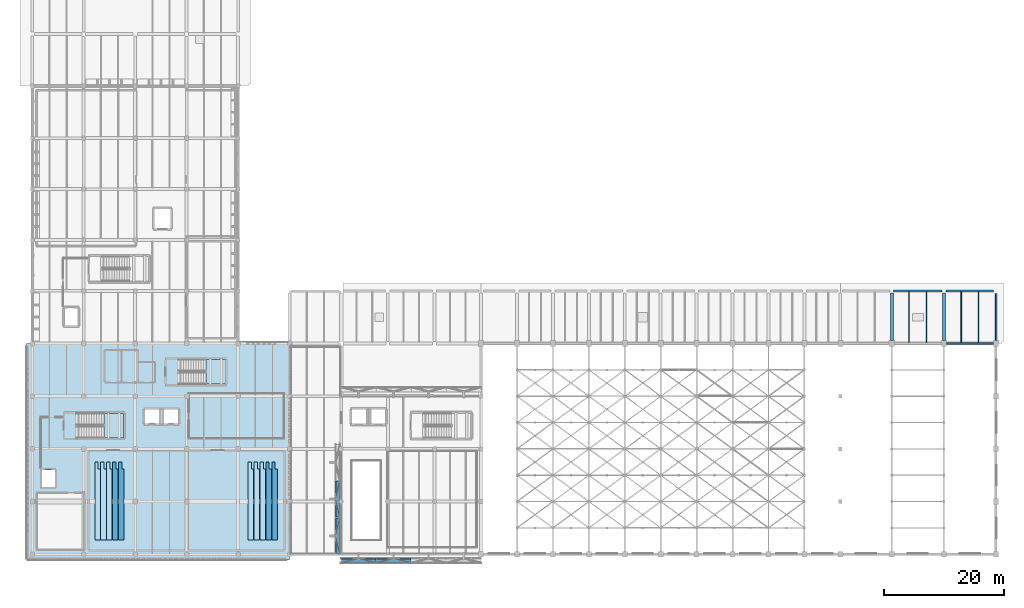
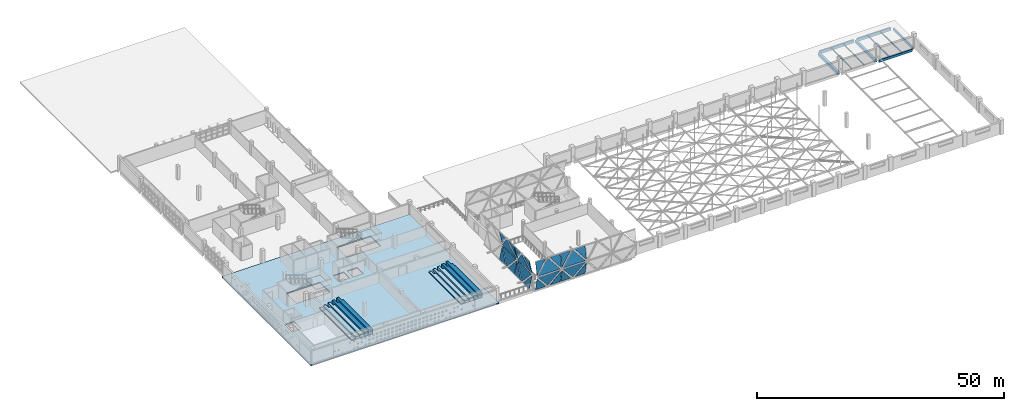
# One storey, part 66 of 93: 24 plates, 13 slabs, 10 beams, 6 elements without a shape of their own.
"""IFC4 building model written with IfcOpenShell, lengths in metres."""

from ifc_helpers import new_model, si_unit, direction, frame, origin, origin_2d, place, context, subcontext, project, spatial, polyline, rectangle, i_section, outline, extrude, material, layer, layer_set, material_profile, profile_set, type_object, element, aggregate, save


model = new_model("IFC4")

# Units and contexts
model_context = context("Model", 3, precision=1e-05, world=origin(), true_north=direction((0.0, 1.0)))
body_context = subcontext(model_context, "Body", "Model", "MODEL_VIEW")
ifc_project = project(units=[si_unit("LENGTHUNIT", "METRE"), si_unit("AREAUNIT", "SQUARE_METRE"), si_unit("VOLUMEUNIT", "CUBIC_METRE"), si_unit("PLANEANGLEUNIT", "RADIAN"), si_unit("MASSUNIT", "GRAM", prefix="KILO")], contexts=[model_context])

# Site, building, storey
site_placement = place(None, origin())
site = spatial("IfcSite", under=ifc_project, at=site_placement, CompositionType="ELEMENT")
building_placement = place(site_placement, origin())
building = spatial("IfcBuilding", under=site, at=building_placement, Name="Varnakota Cinema and Media Centre", CompositionType="ELEMENT")
storey_placement = place(building_placement, frame((0.0, 0.0, 12.0)))
storey = spatial("IfcBuildingStorey", under=building, at=storey_placement, Name="L03", CompositionType="ELEMENT", Elevation=12.0)

# Beams
ifc_material_1 = material(Name="Concrete M35", Category="concrete")
ifc_material_profile_1 = material_profile(ifc_material_1, rectangle(XDim=0.5, YDim=0.699951171875, at=origin_2d()), Name="RCB 500x700")
ifc_profile_set_1 = profile_set([ifc_material_profile_1], Name="Concrete M35")
beam_type_1 = type_object("IfcBeamType", Name="BM-RC-500x700", PredefinedType="BEAM", material=ifc_profile_set_1)
beam_1_placement = place(storey_placement, frame((152.300048828125, 35.675048828125, -0.610107421875), z_axis=(0.0, 1.0, 0.0), x_axis=(-1.0, 0.0, 0.0)))
element("IfcBeam", 1, at=beam_1_placement, inside=storey, type_object=beam_type_1, Name="L03 girder X/5-6", PredefinedType="BEAM", context=body_context, shape_type="SweptSolid", body=[
    extrude(rectangle(XDim=0.5, YDim=0.699951171875, at=origin_2d()), origin(), (0.0, 0.0, 1.0), 7.974853515625),
])
ifc_material_2 = material(Name="Concrete M35", Category="concrete")
ifc_material_profile_2 = material_profile(ifc_material_2, rectangle(XDim=0.5, YDim=0.75, at=origin_2d()), Name="RCB 500x750")
ifc_profile_set_2 = profile_set([ifc_material_profile_2], Name="Concrete M35")
beam_type_2 = type_object("IfcBeamType", Name="BM-RC-500x750", PredefinedType="BEAM", material=ifc_profile_set_2)
beam_2_placement = place(storey_placement, frame((143.60009765625, 35.675048828125, -0.635009765625), z_axis=(0.0, 1.0, 0.0), x_axis=(-1.0, 0.0, 0.0)))
element("IfcBeam", 2, at=beam_2_placement, inside=storey, type_object=beam_type_2, Name="L03 girder W/5-6", PredefinedType="BEAM", context=body_context, shape_type="SweptSolid", body=[
    extrude(rectangle(XDim=0.5, YDim=0.75, at=origin_2d()), origin(), (0.0, 0.0, 1.0), 7.949951171875),
])
ifc_material_3 = material(Name="Concrete M35", Category="concrete")
ifc_material_profile_3 = material_profile(ifc_material_3, rectangle(XDim=0.300048828125, YDim=0.60009765625, at=origin_2d()), Name="RCB 300x600")
ifc_profile_set_3 = profile_set([ifc_material_profile_3], Name="Concrete M35")
beam_type_3 = type_object("IfcBeamType", Name="BM-SP-300x600", PredefinedType="SPANDREL", material=ifc_profile_set_3)
for number, where, z_axis, x_axis, name in (
    (3, (152.72509765625, 35.199951171875, -0.56005859375), (1.0, 0.0, 0.0), (0.0, 1.0, 0.0), "L03 girder X-Y/5"),
    (4, (161.0, 35.675048828125, -0.56005859375), (0.0, 1.0, 0.0), (-1.0, 0.0, 0.0), "L03 girder Y/5-6"),
):
    element("IfcBeam", number, at=place(storey_placement, frame(where, z_axis=z_axis, x_axis=x_axis)), inside=storey, type_object=beam_type_3, Name=name, PredefinedType="SPANDREL", context=body_context, shape_type="SweptSolid", body=[
        extrude(rectangle(XDim=0.300048828125, YDim=0.60009765625, at=origin_2d()), origin(), (0.0, 0.0, 1.0), 7.849853515625),
    ])
ifc_material_4 = material(Name="Concrete M40", Category="concrete")
ifc_material_profile_4 = material_profile(ifc_material_4, rectangle(XDim=0.35009765625, YDim=0.75, at=origin_2d()), Name="RCB 350x750")
ifc_profile_set_4 = profile_set([ifc_material_profile_4], Name="Concrete M40")
beam_type_4 = type_object("IfcBeamType", Name="BM-SP-350x750", PredefinedType="SPANDREL", material=ifc_profile_set_4)
beam_3_placement = place(storey_placement, frame((143.925048828125, 44.0, -0.635009765625), z_axis=(1.0, 0.0, 0.0), x_axis=(0.0, 1.0, 0.0)))
element("IfcBeam", 5, at=beam_3_placement, inside=storey, type_object=beam_type_4, Name="L03 girder W-X/6", PredefinedType="SPANDREL", context=body_context, shape_type="SweptSolid", body=[
    extrude(rectangle(XDim=0.35009765625, YDim=0.75, at=origin_2d()), origin(), (0.0, 0.0, 1.0), 8.02490234375),
])
beam_4_placement = place(storey_placement, frame((152.64990234375, 44.0, -0.635009765625), z_axis=(1.0, 0.0, 0.0), x_axis=(0.0, 1.0, 0.0)))
element("IfcBeam", 6, at=beam_4_placement, inside=storey, type_object=beam_type_4, Name="L03 girder X-Y/6", PredefinedType="SPANDREL", context=body_context, shape_type="SweptSolid", body=[
    extrude(rectangle(XDim=0.35009765625, YDim=0.75, at=origin_2d()), origin(), (0.0, 0.0, 1.0), 7.925048828125),
])
ifc_material_5 = material(Name="Structural steel Grade 350 (E350)", Category="steel")
ifc_material_profile_5 = material_profile(ifc_material_5, i_section(OverallWidth=0.10009765625, OverallDepth=0.199951171875, WebThickness=0.005615234375, FlangeThickness=0.0107421875, FilletRadius=0.010986328125, at=origin_2d()), Name="ISMB 200")
ifc_profile_set_5 = profile_set([ifc_material_profile_5], Name="Structural steel Grade 350 (E350)")
beam_type_5 = type_object("IfcBeamType", Name="BM-ST-ISMB200", PredefinedType="JOIST", material=ifc_profile_set_5)
for number, where, z_axis, x_axis, name in (
    (7, (146.5, 35.35009765625, -0.360107421875), (0.0, 1.0, 0.0), (-1.0, 0.0, 0.0), "L03 steel joist W-X/5-6 #1"),
    (8, (149.39990234375, 35.35009765625, -0.360107421875), (0.0, 1.0, 0.0), (-1.0, 0.0, 0.0), "L03 steel joist W-X/5-6 #2"),
):
    element("IfcBeam", number, at=place(storey_placement, frame(where, z_axis=z_axis, x_axis=x_axis)), inside=storey, type_object=beam_type_5, Name=name, PredefinedType="JOIST", context=body_context, shape_type="SweptSolid", body=[
        extrude(i_section(OverallWidth=0.10009765625, OverallDepth=0.199951171875, WebThickness=0.005615234375, FlangeThickness=0.0107421875, FilletRadius=0.010986328125, at=origin_2d()), origin(), (0.0, 0.0, 1.0), 8.474853515625),
    ])
ifc_material_6 = material(Name="Structural steel Grade 350 (E350)", Category="steel")
ifc_material_profile_6 = material_profile(ifc_material_6, i_section(OverallWidth=0.110107421875, OverallDepth=0.22509765625, WebThickness=0.006591796875, FlangeThickness=0.01171875, FilletRadius=0.011962890625, at=origin_2d()), Name="ISMB 225")
ifc_profile_set_6 = profile_set([ifc_material_profile_6], Name="Structural steel Grade 350 (E350)")
beam_type_6 = type_object("IfcBeamType", Name="BM-ST-ISMB225", PredefinedType="JOIST", material=ifc_profile_set_6)
for number, where, z_axis, x_axis, name in (
    (9, (155.199951171875, 35.35009765625, -0.37255859375), (0.0, 1.0, 0.0), (-1.0, 0.0, 0.0), "L03 steel joist X-Y/5-6 #1"),
    (10, (158.10009765625, 35.35009765625, -0.37255859375), (0.0, 1.0, 0.0), (-1.0, 0.0, 0.0), "L03 steel joist X-Y/5-6 #2"),
):
    element("IfcBeam", number, at=place(storey_placement, frame(where, z_axis=z_axis, x_axis=x_axis)), inside=storey, type_object=beam_type_6, Name=name, PredefinedType="JOIST", context=body_context, shape_type="SweptSolid", body=[
        extrude(i_section(OverallWidth=0.110107421875, OverallDepth=0.22509765625, WebThickness=0.006591796875, FlangeThickness=0.01171875, FilletRadius=0.011962890625, at=origin_2d()), origin(), (0.0, 0.0, 1.0), 8.474853515625),
    ])

# Curtain wall, plates
ifc_material_7 = material(Name="Anodised golden-bronze aluminium AW-6063", Category="aluminium")
curtain_wall_type_1 = type_object("IfcCurtainWallType", Name="CW-DMD-585x705", PredefinedType="USERDEFINED", material=ifc_material_7)
curtain_wall_1_placement = place(storey_placement, origin())
curtain_wall_1 = element("IfcCurtainWall", 11, at=curtain_wall_1_placement, inside=storey, type_object=curtain_wall_type_1, Name="L03 folded diamond foyer curtain wall CW-V6DMD-S-T2-D03", ObjectType="DIAMOND FOLDED CURTAIN WALL", PredefinedType="USERDEFINED")
ifc_material_8 = material(Name="Laminated solar-control double glazing", Category="glass")
ifc_layer_1 = layer(ifc_material_8, 0.028076171875)
ifc_layer_set_1 = layer_set([ifc_layer_1], Name="Laminated solar-control double glazing")
plate_type_1 = type_object("IfcPlateType", Name="CWP-DGU-28", PredefinedType="CURTAIN_PANEL", material=ifc_layer_set_1)
plate_1_placement = place(storey_placement, frame((63.02001953125, -1.365234375, 3.385009765625), z_axis=(0.0, 0.979928851946, 0.199347548575), x_axis=(-0.624083687907, 0.155761703166, -0.765674762752)))
plate_1 = element("IfcPlate", 12, at=plate_1_placement, type_object=plate_type_1, Name="CW-V6DMD-S-T2-D03 lower diamond fitted glass facet", PredefinedType="CURTAIN_PANEL", context=body_context, shape_type="SweptSolid", body=[
    extrude(outline(polyline([(0.0, 0.0), (4.238244938145499, -4.440892098500626e-16), (3.3014270872958185, 4.133411722783652), (0.0, 0.0)])), origin(), (0.0, 0.0, -1.0), 0.02392578125),
])
plate_2_placement = place(storey_placement, frame((63.02001953125, -1.365234375, 3.6650390625), z_axis=(0.0, -0.97992592191, 0.199361951158), x_axis=(-1.0, 0.0, 0.0)))
plate_2 = element("IfcPlate", 13, at=plate_2_placement, type_object=plate_type_1, Name="CW-V6DMD-S-T2-D03 upper diamond fitted glass facet", PredefinedType="CURTAIN_PANEL", context=body_context, shape_type="SweptSolid", body=[
    extrude(outline(polyline([(0.0, 0.0), (5.2900390625, 0.0), (2.64501953125, -3.311345250007904), (0.0, 0.0)])), origin(), (0.0, 0.0, -1.0), 0.02392578125),
])

curtain_wall_2_placement = place(storey_placement, origin())
curtain_wall_2 = element("IfcCurtainWall", 14, at=curtain_wall_2_placement, inside=storey, type_object=curtain_wall_type_1, Name="L03 folded diamond foyer curtain wall CW-V6DMD-S-T2-D04", ObjectType="DIAMOND FOLDED CURTAIN WALL", PredefinedType="USERDEFINED")
plate_3_placement = place(storey_placement, frame((57.169921875, -1.365234375, 3.385009765625), z_axis=(0.0, 0.979928851946, 0.199347548575), x_axis=(-0.624083687907, 0.155761703166, -0.765674762752)))
plate_3 = element("IfcPlate", 15, at=plate_3_placement, type_object=plate_type_1, Name="CW-V6DMD-S-T2-D04 lower diamond fitted glass facet", PredefinedType="CURTAIN_PANEL", context=body_context, shape_type="SweptSolid", body=[
    extrude(outline(polyline([(0.0, 0.0), (4.238244938145499, -4.440892098500626e-16), (3.3014270872958185, 4.133411722783652), (0.0, 0.0)])), origin(), (0.0, 0.0, -1.0), 0.02392578125),
])
plate_4_placement = place(storey_placement, frame((57.169921875, -1.365234375, 3.6650390625), z_axis=(0.0, -0.97992592191, 0.199361951158), x_axis=(-1.0, 0.0, 0.0)))
plate_4 = element("IfcPlate", 16, at=plate_4_placement, type_object=plate_type_1, Name="CW-V6DMD-S-T2-D04 upper diamond fitted glass facet", PredefinedType="CURTAIN_PANEL", context=body_context, shape_type="SweptSolid", body=[
    extrude(outline(polyline([(0.0, 0.0), (5.2900390625, 0.0), (2.64501953125, -3.311345250007904), (0.0, 0.0)])), origin(), (0.0, 0.0, -1.0), 0.02392578125),
])

ifc_material_9 = material(Name="Anodised golden-bronze aluminium AW-6063", Category="aluminium")
curtain_wall_type_2 = type_object("IfcCurtainWallType", Name="CW-DMD-613x705", PredefinedType="USERDEFINED", material=ifc_material_9)
curtain_wall_3_placement = place(storey_placement, origin())
curtain_wall_3 = element("IfcCurtainWall", 17, at=curtain_wall_3_placement, inside=storey, type_object=curtain_wall_type_2, Name="L03 folded diamond foyer curtain wall CW-V6DMD-W-T2-D02", ObjectType="DIAMOND FOLDED CURTAIN WALL", PredefinedType="USERDEFINED")
plate_5_placement = place(storey_placement, frame((51.315185546875, 11.986572265625, 3.385009765625), z_axis=(-0.979928851946, 0.0, 0.199347548575), x_axis=(-0.152530402299, -0.643854294319, -0.749790720176)))
plate_5 = element("IfcPlate", 18, at=plate_5_placement, type_object=plate_type_1, Name="CW-V6DMD-W-T2-D02 lower diamond fitted glass facet", PredefinedType="CURTAIN_PANEL", context=body_context, shape_type="SweptSolid", body=[
    extrude(outline(polyline([(0.0, 0.0), (4.328030609313481, -4.440892098500626e-16), (3.588355915700968, 4.264355789891792), (0.0, 0.0)])), origin(), (0.0, 0.0, -1.0), 0.02392578125),
])
plate_6_placement = place(storey_placement, frame((51.315185546875, 11.986572265625, 3.6650390625), z_axis=(0.97992592191, 0.0, 0.199361951158), x_axis=(0.0, -1.0, 0.0)))
plate_6 = element("IfcPlate", 19, at=plate_6_placement, type_object=plate_type_1, Name="CW-V6DMD-W-T2-D02 upper diamond fitted glass facet", PredefinedType="CURTAIN_PANEL", context=body_context, shape_type="SweptSolid", body=[
    extrude(outline(polyline([(0.0, 0.0), (5.5732421875, 0.0), (2.78662109375, -3.311345250007904), (0.0, 0.0)])), origin(), (0.0, 0.0, -1.0), 0.02392578125),
])

curtain_wall_4_placement = place(storey_placement, origin())
curtain_wall_4 = element("IfcCurtainWall", 20, at=curtain_wall_4_placement, inside=storey, type_object=curtain_wall_type_2, Name="L03 folded diamond foyer curtain wall CW-V6DMD-W-T2-D03", ObjectType="DIAMOND FOLDED CURTAIN WALL", PredefinedType="USERDEFINED")
plate_7_placement = place(storey_placement, frame((51.315185546875, 5.853271484375, 3.385009765625), z_axis=(-0.979928851946, 0.0, 0.199347548575), x_axis=(-0.152530402299, -0.643854294319, -0.749790720176)))
plate_7 = element("IfcPlate", 21, at=plate_7_placement, type_object=plate_type_1, Name="CW-V6DMD-W-T2-D03 lower diamond fitted glass facet", PredefinedType="CURTAIN_PANEL", context=body_context, shape_type="SweptSolid", body=[
    extrude(outline(polyline([(0.0, 0.0), (4.328030609313481, -4.440892098500626e-16), (3.588355915700968, 4.264355789891792), (0.0, 0.0)])), origin(), (0.0, 0.0, -1.0), 0.02392578125),
])
plate_8_placement = place(storey_placement, frame((51.315185546875, 5.853271484375, 3.6650390625), z_axis=(0.97992592191, 0.0, 0.199361951158), x_axis=(0.0, -1.0, 0.0)))
plate_8 = element("IfcPlate", 22, at=plate_8_placement, type_object=plate_type_1, Name="CW-V6DMD-W-T2-D03 upper diamond fitted glass facet", PredefinedType="CURTAIN_PANEL", context=body_context, shape_type="SweptSolid", body=[
    extrude(outline(polyline([(0.0, 0.0), (5.5732421875, 0.0), (2.78662109375, -3.311345250007904), (0.0, 0.0)])), origin(), (0.0, 0.0, -1.0), 0.02392578125),
])

# Plate
ifc_material_10 = material(Name="Anodised golden-bronze aluminium AW-6063", Category="aluminium")
ifc_layer_2 = layer(ifc_material_10, 0.035888671875)
ifc_layer_set_2 = layer_set([ifc_layer_2], Name="Anodised golden-bronze aluminium AW-6063")
plate_type_2 = type_object("IfcPlateType", Name="CWP-GOLD-36", PredefinedType="CURTAIN_PANEL", material=ifc_layer_set_2)
plate_9_placement = place(storey_placement, frame((63.239990234375, -0.778076171875, 0.10009765625), z_axis=(0.0, 0.979931720157, 0.199333448849), x_axis=(-1.0, 0.0, 0.0)))
plate_9 = element("IfcPlate", 23, at=plate_9_placement, type_object=plate_type_2, Name="CW-V6DMD-S-T2-D03 golden metal folded diamond spandrel SP-BL", PredefinedType="CURTAIN_PANEL", context=body_context, shape_type="SweptSolid", body=[
    extrude(outline(polyline([(0.0, 0.0), (2.385009765625, 0.0), (0.0, 3.1072796322091536), (0.0, 0.0)])), origin(), (0.0, 0.0, -1.0), 0.028076171875),
])

plate_10_placement = place(storey_placement, frame((59.89501953125, -0.778076171875, 0.10009765625), z_axis=(0.0, 0.979931720157, 0.199333448849), x_axis=(-1.0, 0.0, 0.0)))
plate_10 = element("IfcPlate", 24, at=plate_10_placement, type_object=plate_type_2, Name="CW-V6DMD-S-T2-D03 golden metal folded diamond spandrel SP-BR", PredefinedType="CURTAIN_PANEL", context=body_context, shape_type="SweptSolid", body=[
    extrude(outline(polyline([(0.0, 0.0), (2.385009765625, 0.0), (2.385009765625, 3.1072796322091536), (0.0, 0.0)])), origin(), (0.0, 0.0, -1.0), 0.028076171875),
])

plate_11_placement = place(storey_placement, frame((63.239990234375, -1.3974609375, 3.905029296875), z_axis=(0.0, -0.979931720157, 0.199333448849), x_axis=(-0.608875547408, 0.158124400018, 0.777346281838)))
plate_11 = element("IfcPlate", 25, at=plate_11_placement, type_object=plate_type_2, Name="CW-V6DMD-S-T2-D03 golden metal folded diamond spandrel SP-TL", PredefinedType="CURTAIN_PANEL", context=body_context, shape_type="SweptSolid", body=[
    extrude(outline(polyline([(0.0, 0.0), (3.917072669081909, 2.220446049250313e-16), (2.4648985424630516, -1.8919465870117411), (0.0, 0.0)])), origin(), (0.0, 0.0, -1.0), 0.028076171875),
])

plate_12_placement = place(storey_placement, frame((57.510009765625, -1.3974609375, 3.905029296875), z_axis=(0.0, -0.979931720157, 0.199333448849), x_axis=(0.0, 0.199333448849, 0.979931720157)))
plate_12 = element("IfcPlate", 26, at=plate_12_placement, type_object=plate_type_2, Name="CW-V6DMD-S-T2-D03 golden metal folded diamond spandrel SP-TR", PredefinedType="CURTAIN_PANEL", context=body_context, shape_type="SweptSolid", body=[
    extrude(outline(polyline([(0.0, 0.0), (3.1072796322091536, 0.0), (3.1072796322091536, -2.385009765625), (0.0, 0.0)])), origin(), (0.0, 0.0, -1.0), 0.028076171875),
])

aggregate(curtain_wall_1, [plate_1, plate_2, plate_9, plate_10, plate_11, plate_12])

plate_13_placement = place(storey_placement, frame((57.389892578125, -0.778076171875, 0.10009765625), z_axis=(0.0, 0.979931720157, 0.199333448849), x_axis=(-1.0, 0.0, 0.0)))
plate_13 = element("IfcPlate", 27, at=plate_13_placement, type_object=plate_type_2, Name="CW-V6DMD-S-T2-D04 golden metal folded diamond spandrel SP-BL", PredefinedType="CURTAIN_PANEL", context=body_context, shape_type="SweptSolid", body=[
    extrude(outline(polyline([(0.0, 0.0), (2.385009765625, 0.0), (0.0, 3.1072796322091536), (0.0, 0.0)])), origin(), (0.0, 0.0, -1.0), 0.028076171875),
])

plate_14_placement = place(storey_placement, frame((54.044921875, -0.778076171875, 0.10009765625), z_axis=(0.0, 0.979931720157, 0.199333448849), x_axis=(-1.0, 0.0, 0.0)))
plate_14 = element("IfcPlate", 28, at=plate_14_placement, type_object=plate_type_2, Name="CW-V6DMD-S-T2-D04 golden metal folded diamond spandrel SP-BR", PredefinedType="CURTAIN_PANEL", context=body_context, shape_type="SweptSolid", body=[
    extrude(outline(polyline([(0.0, 0.0), (2.385009765625, 0.0), (2.385009765625, 3.1072796322091536), (0.0, 0.0)])), origin(), (0.0, 0.0, -1.0), 0.028076171875),
])

plate_15_placement = place(storey_placement, frame((57.389892578125, -1.3974609375, 3.905029296875), z_axis=(0.0, -0.979931720157, 0.199333448849), x_axis=(-0.608875547408, 0.158124400018, 0.777346281838)))
plate_15 = element("IfcPlate", 29, at=plate_15_placement, type_object=plate_type_2, Name="CW-V6DMD-S-T2-D04 golden metal folded diamond spandrel SP-TL", PredefinedType="CURTAIN_PANEL", context=body_context, shape_type="SweptSolid", body=[
    extrude(outline(polyline([(0.0, 0.0), (3.917072669081909, 2.220446049250313e-16), (2.4648985424630516, -1.8919465870117411), (0.0, 0.0)])), origin(), (0.0, 0.0, -1.0), 0.028076171875),
])

plate_16_placement = place(storey_placement, frame((51.659912109375, -1.3974609375, 3.905029296875), z_axis=(0.0, -0.979931720157, 0.199333448849), x_axis=(0.0, 0.199333448849, 0.979931720157)))
plate_16 = element("IfcPlate", 30, at=plate_16_placement, type_object=plate_type_2, Name="CW-V6DMD-S-T2-D04 golden metal folded diamond spandrel SP-TR", PredefinedType="CURTAIN_PANEL", context=body_context, shape_type="SweptSolid", body=[
    extrude(outline(polyline([(0.0, 0.0), (3.1072796322091536, 0.0), (3.1072796322091536, -2.385009765625), (0.0, 0.0)])), origin(), (0.0, 0.0, -1.0), 0.028076171875),
])

aggregate(curtain_wall_2, [plate_3, plate_4, plate_13, plate_14, plate_15, plate_16])

plate_17_placement = place(storey_placement, frame((50.72802734375, 12.206787109375, 0.10009765625), z_axis=(-0.979931720157, 0.0, 0.199333448849), x_axis=(0.0, -1.0, 0.0)))
plate_17 = element("IfcPlate", 31, at=plate_17_placement, type_object=plate_type_2, Name="CW-V6DMD-W-T2-D02 golden metal folded diamond spandrel SP-BL", PredefinedType="CURTAIN_PANEL", context=body_context, shape_type="SweptSolid", body=[
    extrude(outline(polyline([(0.0, 0.0), (2.52685546875, 0.0), (0.0, 3.1072796322091536), (0.0, 0.0)])), origin(), (0.0, 0.0, -1.0), 0.028076171875),
])

plate_18_placement = place(storey_placement, frame((50.72802734375, 8.719970703125, 0.10009765625), z_axis=(-0.979931720157, 0.0, 0.199333448849), x_axis=(0.0, -1.0, 0.0)))
plate_18 = element("IfcPlate", 32, at=plate_18_placement, type_object=plate_type_2, Name="CW-V6DMD-W-T2-D02 golden metal folded diamond spandrel SP-BR", PredefinedType="CURTAIN_PANEL", context=body_context, shape_type="SweptSolid", body=[
    extrude(outline(polyline([(0.0, 0.0), (2.526611328125, 0.0), (2.526611328125, 3.1072796322091536), (0.0, 0.0)])), origin(), (0.0, 0.0, -1.0), 0.028076171875),
])

plate_19_placement = place(storey_placement, frame((51.347412109375, 12.206787109375, 3.905029296875), z_axis=(0.979931720157, 0.0, 0.199333448849), x_axis=(-0.154652102668, -0.63092205858, 0.760276320253)))
plate_19 = element("IfcPlate", 33, at=plate_19_placement, type_object=plate_type_2, Name="CW-V6DMD-W-T2-D02 golden metal folded diamond spandrel SP-TL", PredefinedType="CURTAIN_PANEL", context=body_context, shape_type="SweptSolid", body=[
    extrude(outline(polyline([(0.0, 0.0), (4.005020009025378, -2.220446049250313e-16), (2.4107711549464756, -1.9604512621383603), (0.0, 0.0)])), origin(), (0.0, 0.0, -1.0), 0.028076171875),
])

plate_20_placement = place(storey_placement, frame((51.347412109375, 6.193359375, 3.905029296875), z_axis=(0.979931720157, 0.0, 0.199333448849), x_axis=(-0.199333448849, 0.0, 0.979931720157)))
plate_20 = element("IfcPlate", 34, at=plate_20_placement, type_object=plate_type_2, Name="CW-V6DMD-W-T2-D02 golden metal folded diamond spandrel SP-TR", PredefinedType="CURTAIN_PANEL", context=body_context, shape_type="SweptSolid", body=[
    extrude(outline(polyline([(0.0, 0.0), (3.1072796322091536, 0.0), (3.1072796322091536, -2.526611328125), (0.0, 0.0)])), origin(), (0.0, 0.0, -1.0), 0.028076171875),
])

aggregate(curtain_wall_3, [plate_5, plate_6, plate_17, plate_18, plate_19, plate_20])

plate_21_placement = place(storey_placement, frame((50.72802734375, 6.0732421875, 0.10009765625), z_axis=(-0.979931720157, 0.0, 0.199333448849), x_axis=(0.0, -1.0, 0.0)))
plate_21 = element("IfcPlate", 35, at=plate_21_placement, type_object=plate_type_2, Name="CW-V6DMD-W-T2-D03 golden metal folded diamond spandrel SP-BL", PredefinedType="CURTAIN_PANEL", context=body_context, shape_type="SweptSolid", body=[
    extrude(outline(polyline([(0.0, 0.0), (2.526611328125, 0.0), (0.0, 3.1072796322091536), (0.0, 0.0)])), origin(), (0.0, 0.0, -1.0), 0.028076171875),
])

plate_22_placement = place(storey_placement, frame((50.72802734375, 2.586669921875, 0.10009765625), z_axis=(-0.979931720157, 0.0, 0.199333448849), x_axis=(0.0, -1.0, 0.0)))
plate_22 = element("IfcPlate", 36, at=plate_22_placement, type_object=plate_type_2, Name="CW-V6DMD-W-T2-D03 golden metal folded diamond spandrel SP-BR", PredefinedType="CURTAIN_PANEL", context=body_context, shape_type="SweptSolid", body=[
    extrude(outline(polyline([(0.0, 0.0), (2.526611328125, 0.0), (2.526611328125, 3.1072796322091536), (0.0, 0.0)])), origin(), (0.0, 0.0, -1.0), 0.028076171875),
])

plate_23_placement = place(storey_placement, frame((51.347412109375, 6.0732421875, 3.905029296875), z_axis=(0.979931720157, 0.0, 0.199333448849), x_axis=(-0.154658050669, -0.630885363173, 0.760305560875)))
plate_23 = element("IfcPlate", 37, at=plate_23_placement, type_object=plate_type_2, Name="CW-V6DMD-W-T2-D03 golden metal folded diamond spandrel SP-TL", PredefinedType="CURTAIN_PANEL", context=body_context, shape_type="SweptSolid", body=[
    extrude(outline(polyline([(0.0, 0.0), (4.004865979799003, 0.0), (2.410863874457649, -1.9603372392465808), (0.0, 0.0)])), origin(), (0.0, 0.0, -1.0), 0.028076171875),
])

plate_24_placement = place(storey_placement, frame((51.347412109375, 0.06005859375, 3.905029296875), z_axis=(0.979931720157, 0.0, 0.199333448849), x_axis=(-0.199333448849, 0.0, 0.979931720157)))
plate_24 = element("IfcPlate", 38, at=plate_24_placement, type_object=plate_type_2, Name="CW-V6DMD-W-T2-D03 golden metal folded diamond spandrel SP-TR", PredefinedType="CURTAIN_PANEL", context=body_context, shape_type="SweptSolid", body=[
    extrude(outline(polyline([(0.0, 0.0), (3.1072796322091536, 0.0), (3.1072796322091536, -2.526611328125), (0.0, 0.0)])), origin(), (0.0, 0.0, -1.0), 0.028076171875),
])

aggregate(curtain_wall_4, [plate_7, plate_8, plate_21, plate_22, plate_23, plate_24])

# Slab
ifc_material_11 = material(Name="Concrete M35", Category="concrete")
ifc_layer_3 = layer(ifc_material_11, 0.260009765625)
ifc_layer_set_3 = layer_set([ifc_layer_3], Name="Concrete M35")
slab_type_1 = type_object("IfcSlabType", Name="SLB-FLR-260", PredefinedType="FLOOR", material=ifc_layer_set_3)
slab_1_placement = place(storey_placement, frame((0.0, 0.0, -0.260009765625)))
element("IfcSlab", 39, at=slab_1_placement, inside=storey, type_object=slab_type_1, Name="L03 V4 floor slab", PredefinedType="FLOOR", context=body_context, shape_type="SweptSolid", body=[
    extrude(outline(polyline([(-0.949951171875, -0.949951171875), (43.0, -0.949951171875), (43.0, 35.199951171875), (-0.949951171875, 35.199951171875), (-0.949951171875, -0.949951171875)]), holes=[polyline([(7.39990234375, 19.39990234375), (15.280029296875, 19.39990234375), (15.280029296875, 23.550048828125), (7.39990234375, 23.550048828125), (7.39990234375, 19.39990234375)]), polyline([(24.39990234375, 28.39990234375), (32.280029296875, 28.39990234375), (32.280029296875, 32.550048828125), (24.39990234375, 32.550048828125), (24.39990234375, 28.39990234375)]), polyline([(1.60009765625, 11.199951171875), (3.800048828125, 11.199951171875), (3.800048828125, 14.10009765625), (1.60009765625, 14.10009765625), (1.60009765625, 11.199951171875)]), polyline([(18.800048828125, 21.800048828125), (21.199951171875, 21.800048828125), (21.199951171875, 24.199951171875), (18.800048828125, 24.199951171875), (18.800048828125, 21.800048828125)]), polyline([(22.0, 21.800048828125), (24.39990234375, 21.800048828125), (24.39990234375, 24.199951171875), (22.0, 24.199951171875), (22.0, 21.800048828125)])]), origin(), (0.0, 0.0, 1.0), 0.260009765625),
])

# Stair, slab
ifc_material_12 = material(Name="Concrete M35", Category="concrete")
stair_type_1 = type_object("IfcStairType", Name="STR-CORE-ST-01-2000", PredefinedType="HALF_TURN_STAIR", material=ifc_material_12)
stair_1_placement = place(storey_placement, origin())
stair_1 = element("IfcStair", 40, at=stair_1_placement, inside=storey, type_object=stair_type_1, Name="L03 West Firefighting Stair 1", PredefinedType="HALF_TURN_STAIR")
ifc_material_13 = material(Name="Concrete M35", Category="concrete")
ifc_layer_4 = layer(ifc_material_13, 0.199951171875)
ifc_layer_set_4 = layer_set([ifc_layer_4], Name="Concrete M35")
slab_type_2 = type_object("IfcSlabType", Name="SLB-LAND-ST-01", PredefinedType="LANDING", material=ifc_layer_set_4)
slab_2_placement = place(storey_placement, frame((0.0, 0.0, 1.60009765625)))
slab_2 = element("IfcSlab", 41, at=slab_2_placement, type_object=slab_type_2, Name="ST-01 landing 1", PredefinedType="LANDING", context=body_context, shape_type="SweptSolid", body=[
    extrude(outline(polyline([(12.02001953125, 19.39990234375), (15.280029296875, 19.39990234375), (15.280029296875, 23.550048828125), (12.02001953125, 23.550048828125), (12.02001953125, 19.39990234375)])), origin(), (0.0, 0.0, 1.0), 0.199951171875),
])
aggregate(stair_1, [slab_2])

ifc_material_14 = material(Name="Concrete M35", Category="concrete")
stair_type_2 = type_object("IfcStairType", Name="STR-CORE-ST-02-2000", PredefinedType="HALF_TURN_STAIR", material=ifc_material_14)
stair_2_placement = place(storey_placement, origin())
stair_2 = element("IfcStair", 42, at=stair_2_placement, inside=storey, type_object=stair_type_2, Name="L03 Cinema North Escape Stair 2", PredefinedType="HALF_TURN_STAIR")
ifc_material_15 = material(Name="Concrete M35", Category="concrete")
ifc_layer_5 = layer(ifc_material_15, 0.199951171875)
ifc_layer_set_5 = layer_set([ifc_layer_5], Name="Concrete M35")
slab_type_3 = type_object("IfcSlabType", Name="SLB-LAND-ST-02", PredefinedType="LANDING", material=ifc_layer_set_5)
slab_3_placement = place(storey_placement, frame((0.0, 0.0, 1.60009765625)))
slab_3 = element("IfcSlab", 43, at=slab_3_placement, type_object=slab_type_3, Name="ST-02 landing 1", PredefinedType="LANDING", context=body_context, shape_type="SweptSolid", body=[
    extrude(outline(polyline([(29.02001953125, 28.39990234375), (32.280029296875, 28.39990234375), (32.280029296875, 32.550048828125), (29.02001953125, 32.550048828125), (29.02001953125, 28.39990234375)])), origin(), (0.0, 0.0, 1.0), 0.199951171875),
])
aggregate(stair_2, [slab_3])

# Slabs
ifc_material_16 = material(Name="Concrete M35", Category="concrete")
ifc_layer_6 = layer(ifc_material_16, 0.18994140625)
ifc_layer_set_6 = layer_set([ifc_layer_6], Name="Concrete M35")
slab_type_4 = type_object("IfcSlabType", Name="SLB-TIER-190", PredefinedType="USERDEFINED", material=ifc_layer_set_6)
slab_4_placement = place(storey_placement, origin())
element("IfcSlab", 44, at=slab_4_placement, inside=storey, type_object=slab_type_4, Name="L03 V4-SCR4 raked seating tier 1", ObjectType="SEATING TIER", PredefinedType="USERDEFINED", context=body_context, shape_type="SweptSolid", body=[
    extrude(outline(polyline([(10.43994140625, 2.39990234375), (11.360107421875, 2.39990234375), (11.360107421875, 14.199951171875), (10.991943359375, 14.199951171875), (10.991943359375, 15.39990234375), (10.43994140625, 15.39990234375), (10.43994140625, 2.39990234375)])), origin(), (0.0, 0.0, 1.0), 0.260009765625),
])
slab_5_placement = place(storey_placement, origin())
element("IfcSlab", 45, at=slab_5_placement, inside=storey, type_object=slab_type_4, Name="L03 V4-SCR4 raked seating tier 2", ObjectType="SEATING TIER", PredefinedType="USERDEFINED", context=body_context, shape_type="SweptSolid", body=[
    extrude(outline(polyline([(11.43994140625, 2.39990234375), (12.360107421875, 2.39990234375), (12.360107421875, 14.199951171875), (11.991943359375, 14.199951171875), (11.991943359375, 15.39990234375), (11.43994140625, 15.39990234375), (11.43994140625, 2.39990234375)])), origin(), (0.0, 0.0, 1.0), 0.52001953125),
])
slab_6_placement = place(storey_placement, origin())
element("IfcSlab", 46, at=slab_6_placement, inside=storey, type_object=slab_type_4, Name="L03 V4-SCR4 raked seating tier 3", ObjectType="SEATING TIER", PredefinedType="USERDEFINED", context=body_context, shape_type="SweptSolid", body=[
    extrude(outline(polyline([(12.43994140625, 2.39990234375), (13.360107421875, 2.39990234375), (13.360107421875, 14.199951171875), (12.991943359375, 14.199951171875), (12.991943359375, 15.39990234375), (12.43994140625, 15.39990234375), (12.43994140625, 2.39990234375)])), origin(), (0.0, 0.0, 1.0), 0.780029296875),
])
slab_7_placement = place(storey_placement, origin())
element("IfcSlab", 47, at=slab_7_placement, inside=storey, type_object=slab_type_4, Name="L03 V4-SCR4 raked seating tier 4", ObjectType="SEATING TIER", PredefinedType="USERDEFINED", context=body_context, shape_type="SweptSolid", body=[
    extrude(outline(polyline([(13.43994140625, 2.39990234375), (14.360107421875, 2.39990234375), (14.360107421875, 14.199951171875), (13.991943359375, 14.199951171875), (13.991943359375, 15.39990234375), (13.43994140625, 15.39990234375), (13.43994140625, 2.39990234375)])), origin(), (0.0, 0.0, 1.0), 1.0400390625),
])
slab_8_placement = place(storey_placement, origin())
element("IfcSlab", 48, at=slab_8_placement, inside=storey, type_object=slab_type_4, Name="L03 V4-SCR4 raked seating tier 5", ObjectType="SEATING TIER", PredefinedType="USERDEFINED", context=body_context, shape_type="SweptSolid", body=[
    extrude(outline(polyline([(14.43994140625, 2.39990234375), (15.360107421875, 2.39990234375), (15.360107421875, 14.199951171875), (14.991943359375, 14.199951171875), (14.991943359375, 15.39990234375), (14.43994140625, 15.39990234375), (14.43994140625, 2.39990234375)])), origin(), (0.0, 0.0, 1.0), 1.300048828125),
])
slab_9_placement = place(storey_placement, origin())
element("IfcSlab", 49, at=slab_9_placement, inside=storey, type_object=slab_type_4, Name="L03 V4-SCR5 raked seating tier 1", ObjectType="SEATING TIER", PredefinedType="USERDEFINED", context=body_context, shape_type="SweptSolid", body=[
    extrude(outline(polyline([(36.0400390625, 2.39990234375), (36.9599609375, 2.39990234375), (36.9599609375, 14.199951171875), (36.592041015625, 14.199951171875), (36.592041015625, 15.39990234375), (36.0400390625, 15.39990234375), (36.0400390625, 2.39990234375)])), origin(), (0.0, 0.0, 1.0), 0.260009765625),
])
slab_10_placement = place(storey_placement, origin())
element("IfcSlab", 50, at=slab_10_placement, inside=storey, type_object=slab_type_4, Name="L03 V4-SCR5 raked seating tier 2", ObjectType="SEATING TIER", PredefinedType="USERDEFINED", context=body_context, shape_type="SweptSolid", body=[
    extrude(outline(polyline([(37.0400390625, 2.39990234375), (37.9599609375, 2.39990234375), (37.9599609375, 14.199951171875), (37.592041015625, 14.199951171875), (37.592041015625, 15.39990234375), (37.0400390625, 15.39990234375), (37.0400390625, 2.39990234375)])), origin(), (0.0, 0.0, 1.0), 0.52001953125),
])
slab_11_placement = place(storey_placement, origin())
element("IfcSlab", 51, at=slab_11_placement, inside=storey, type_object=slab_type_4, Name="L03 V4-SCR5 raked seating tier 3", ObjectType="SEATING TIER", PredefinedType="USERDEFINED", context=body_context, shape_type="SweptSolid", body=[
    extrude(outline(polyline([(38.0400390625, 2.39990234375), (38.9599609375, 2.39990234375), (38.9599609375, 14.199951171875), (38.592041015625, 14.199951171875), (38.592041015625, 15.39990234375), (38.0400390625, 15.39990234375), (38.0400390625, 2.39990234375)])), origin(), (0.0, 0.0, 1.0), 0.780029296875),
])
slab_12_placement = place(storey_placement, origin())
element("IfcSlab", 52, at=slab_12_placement, inside=storey, type_object=slab_type_4, Name="L03 V4-SCR5 raked seating tier 4", ObjectType="SEATING TIER", PredefinedType="USERDEFINED", context=body_context, shape_type="SweptSolid", body=[
    extrude(outline(polyline([(39.0400390625, 2.39990234375), (39.9599609375, 2.39990234375), (39.9599609375, 14.199951171875), (39.592041015625, 14.199951171875), (39.592041015625, 15.39990234375), (39.0400390625, 15.39990234375), (39.0400390625, 2.39990234375)])), origin(), (0.0, 0.0, 1.0), 1.0400390625),
])
slab_13_placement = place(storey_placement, origin())
element("IfcSlab", 53, at=slab_13_placement, inside=storey, type_object=slab_type_4, Name="L03 V4-SCR5 raked seating tier 5", ObjectType="SEATING TIER", PredefinedType="USERDEFINED", context=body_context, shape_type="SweptSolid", body=[
    extrude(outline(polyline([(40.0400390625, 2.39990234375), (40.9599609375, 2.39990234375), (40.9599609375, 14.199951171875), (40.592041015625, 14.199951171875), (40.592041015625, 15.39990234375), (40.0400390625, 15.39990234375), (40.0400390625, 2.39990234375)])), origin(), (0.0, 0.0, 1.0), 1.300048828125),
])

save(model, "model.ifc")
